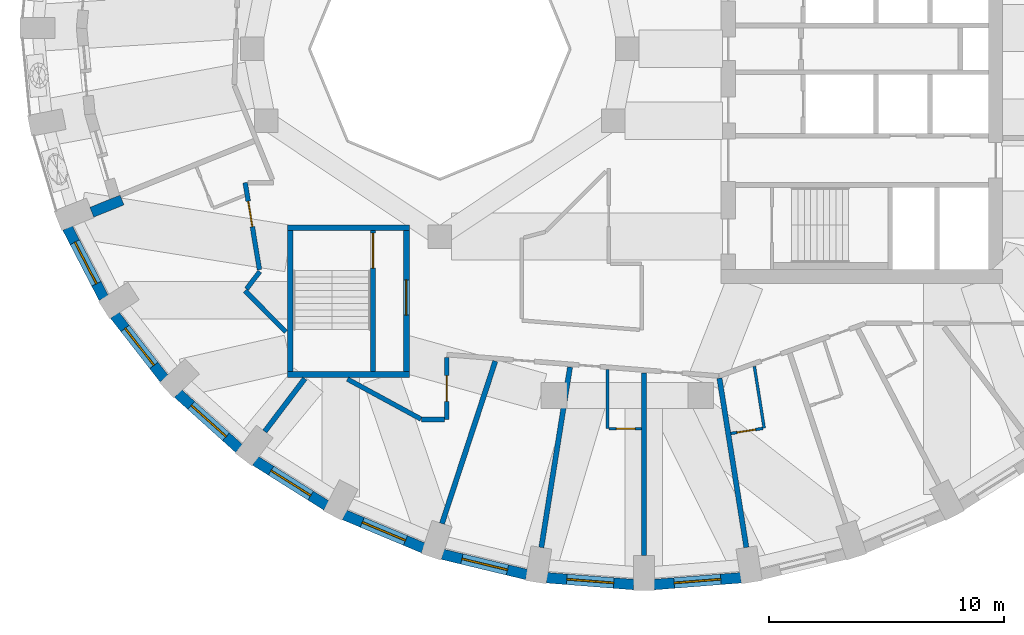
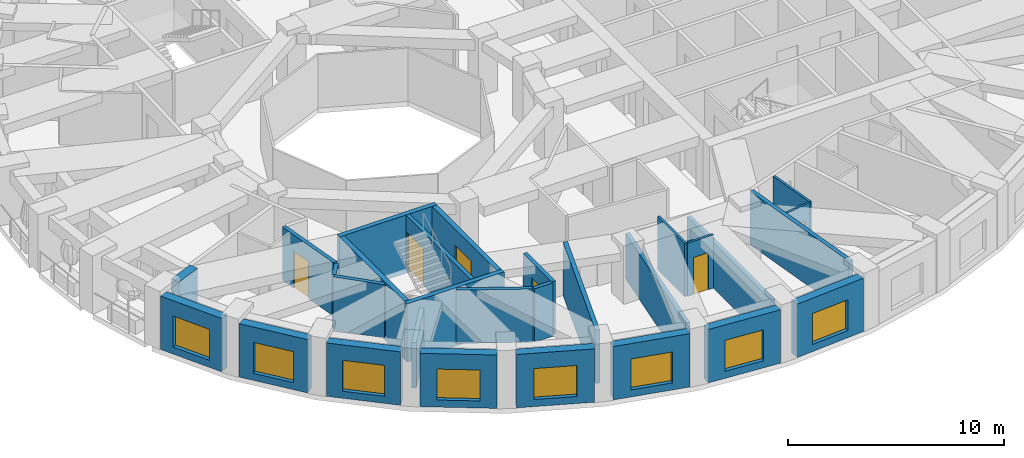
# One storey, part 3 of 12: 29 walls, 8 windows, 6 doors, 14 openings.
"""IFC4 building model written with IfcOpenShell, lengths in metres."""

from ifc_helpers import new_model, si_unit, direction, frame, frame_2d, origin, place, context, subcontext, project, spatial, rectangle, extrude, material, layer, layer_set, type_object, element, fill, save


model = new_model("IFC4")

# Units and contexts
model_context = context("Model", 3, precision=1e-05, world=origin(), true_north=direction((0.0, 1.0)))
body_context = subcontext(model_context, "Body", "Model", "MODEL_VIEW")
ifc_project = project(units=[si_unit("LENGTHUNIT", "METRE"), si_unit("AREAUNIT", "SQUARE_METRE"), si_unit("VOLUMEUNIT", "CUBIC_METRE"), si_unit("PLANEANGLEUNIT", "RADIAN"), si_unit("MASSUNIT", "GRAM", prefix="KILO")], contexts=[model_context])

# Site, building, storey
site_placement = place(None, origin())
site = spatial("IfcSite", under=ifc_project, at=site_placement, CompositionType="ELEMENT")
building_placement = place(site_placement, origin())
building = spatial("IfcBuilding", under=site, at=building_placement, Name="Taillehof Tower", CompositionType="ELEMENT")
storey_placement = place(building_placement, frame((0.0, 0.0, 192.5)))
storey = spatial("IfcBuildingStorey", under=building, at=storey_placement, Name="L54", CompositionType="ELEMENT", Elevation=192.5)

# Wall, opening, window
ifc_material_1 = material(Name="Brick masonry", Category="masonry")
ifc_layer_1 = layer(ifc_material_1, 0.449951171875)
ifc_layer_set_1 = layer_set([ifc_layer_1], Name="Brick infill wall 450")
wall_type_1 = type_object("IfcWallType", Name="Brick infill wall 450", PredefinedType="SOLIDWALL", material=ifc_layer_set_1)
wall_1_placement = place(storey_placement, frame((-23.878173828125, -7.631591796875, 0.0), z_axis=(0.0, 0.0, 1.0), x_axis=(0.460232593174, -0.887798378113, 0.0)))
wall_1 = element("IfcWall", 1, at=wall_1_placement, inside=storey, type_object=wall_type_1, Name="Brick wall L54 bay 21", PredefinedType="SOLIDWALL", context=body_context, shape_type="SweptSolid", body=[
    extrude(rectangle(XDim=3.37060546875, YDim=0.449951171875, at=frame_2d((1.685302734375, 0.0))), origin(), (0.0, 0.0, 1.0), 3.02001953125),
])
opening_1_placement = place(wall_1_placement, frame((0.685302734375, 0.0, 0.39990234375)))
opening_1 = element("IfcOpeningElement", 2, at=opening_1_placement, cuts=wall_1, Name="Opening W2", PredefinedType="OPENING", context=body_context, shape_type="SweptSolid", body=[
    extrude(rectangle(XDim=2.0, YDim=1.75, at=frame_2d((1.0, 0.875))), frame((0.0, 0.23486328125, 0.0), z_axis=(0.0, -1.0, 0.0), x_axis=(1.0, 0.0, 0.0)), (0.0, 0.0, 1.0), 0.469970703125),
])
ifc_material_2 = material(Name="Aluminium window frame with clear double glazing", Category="aluminium")
window_type = type_object("IfcWindowType", Name="Deep-set window 2000x1750", PartitioningType="SINGLE_PANEL", PredefinedType="WINDOW", material=ifc_material_2)
window_1_placement = place(opening_1_placement, origin())
window_1 = element("IfcWindow", 3, at=window_1_placement, inside=storey, type_object=window_type, Name="W2", OverallHeight=1.75, OverallWidth=2.0, PartitioningType="SINGLE_PANEL", PredefinedType="WINDOW", context=body_context, shape_type="SweptSolid", body=[
    extrude(rectangle(XDim=2.0, YDim=1.75, at=frame_2d((1.0, 0.875))), frame((0.0, 0.034912109375, 0.0), z_axis=(0.0, -1.0, 0.0), x_axis=(1.0, 0.0, 0.0)), (0.0, 0.0, 1.0), 0.06005859375),
])
fill(opening_1, window_1)

wall_2_placement = place(storey_placement, frame((-21.86279296875, -11.348388671875, 0.0), z_axis=(0.0, 0.0, 1.0), x_axis=(0.614255239631, -0.789107407509, 0.0)))
wall_2 = element("IfcWall", 4, at=wall_2_placement, inside=storey, type_object=wall_type_1, Name="Brick wall L54 bay 22", PredefinedType="SOLIDWALL", context=body_context, shape_type="SweptSolid", body=[
    extrude(rectangle(XDim=3.4375, YDim=0.449951171875, at=frame_2d((1.71875, 0.0))), origin(), (0.0, 0.0, 1.0), 3.02001953125),
])
opening_2_placement = place(wall_2_placement, frame((0.71875, 0.0, 0.39990234375)))
opening_2 = element("IfcOpeningElement", 5, at=opening_2_placement, cuts=wall_2, Name="Opening W2", PredefinedType="OPENING", context=body_context, shape_type="SweptSolid", body=[
    extrude(rectangle(XDim=2.0, YDim=1.75, at=frame_2d((1.0, 0.875))), frame((0.0, 0.23486328125, 0.0), z_axis=(0.0, -1.0, 0.0), x_axis=(1.0, 0.0, 0.0)), (0.0, 0.0, 1.0), 0.469970703125),
])
window_2_placement = place(opening_2_placement, origin())
window_2 = element("IfcWindow", 6, at=window_2_placement, inside=storey, type_object=window_type, Name="W2", OverallHeight=1.75, OverallWidth=2.0, PartitioningType="SINGLE_PANEL", PredefinedType="WINDOW", context=body_context, shape_type="SweptSolid", body=[
    extrude(rectangle(XDim=2.0, YDim=1.75, at=frame_2d((1.0, 0.875))), frame((0.0, 0.034912109375, 0.0), z_axis=(0.0, -1.0, 0.0), x_axis=(1.0, 0.0, 0.0)), (0.0, 0.0, 1.0), 0.06005859375),
])
fill(opening_2, window_2)

wall_3_placement = place(storey_placement, frame((-19.1650390625, -14.6904296875, 0.0), z_axis=(0.0, 0.0, 1.0), x_axis=(0.743442727602, -0.668799604348, 0.0)))
wall_3 = element("IfcWall", 7, at=wall_3_placement, inside=storey, type_object=wall_type_1, Name="Brick wall L54 bay 23", PredefinedType="SOLIDWALL", context=body_context, shape_type="SweptSolid", body=[
    extrude(rectangle(XDim=3.5126953125, YDim=0.449951171875, at=frame_2d((1.75634765625, 0.0))), origin(), (0.0, 0.0, 1.0), 3.02001953125),
])
opening_3_placement = place(wall_3_placement, frame((0.75634765625, 0.0, 0.39990234375)))
opening_3 = element("IfcOpeningElement", 8, at=opening_3_placement, cuts=wall_3, Name="Opening W2", PredefinedType="OPENING", context=body_context, shape_type="SweptSolid", body=[
    extrude(rectangle(XDim=2.0, YDim=1.75, at=frame_2d((1.0, 0.875))), frame((0.0, 0.23486328125, 0.0), z_axis=(0.0, -1.0, 0.0), x_axis=(1.0, 0.0, 0.0)), (0.0, 0.0, 1.0), 0.469970703125),
])
window_3_placement = place(opening_3_placement, origin())
window_3 = element("IfcWindow", 9, at=window_3_placement, inside=storey, type_object=window_type, Name="W2", OverallHeight=1.75, OverallWidth=2.0, PartitioningType="SINGLE_PANEL", PredefinedType="WINDOW", context=body_context, shape_type="SweptSolid", body=[
    extrude(rectangle(XDim=2.0, YDim=1.75, at=frame_2d((1.0, 0.875))), frame((0.0, 0.034912109375, 0.0), z_axis=(0.0, -1.0, 0.0), x_axis=(1.0, 0.0, 0.0)), (0.0, 0.0, 1.0), 0.06005859375),
])
fill(opening_3, window_3)

wall_4_placement = place(storey_placement, frame((-15.8671875, -17.55859375, 0.0), z_axis=(0.0, 0.0, 1.0), x_axis=(0.84616917791, -0.532914366813, 0.0)))
wall_4 = element("IfcWall", 10, at=wall_4_placement, inside=storey, type_object=wall_type_1, Name="Brick wall L54 bay 24", PredefinedType="SOLIDWALL", context=body_context, shape_type="SweptSolid", body=[
    extrude(rectangle(XDim=3.586669921875, YDim=0.449951171875, at=frame_2d((1.79345703125, 0.0))), origin(), (0.0, 0.0, 1.0), 3.02001953125),
])
opening_4_placement = place(wall_4_placement, frame((0.79345703125, 0.0, 0.39990234375)))
opening_4 = element("IfcOpeningElement", 11, at=opening_4_placement, cuts=wall_4, Name="Opening W2", PredefinedType="OPENING", context=body_context, shape_type="SweptSolid", body=[
    extrude(rectangle(XDim=2.0, YDim=1.75, at=frame_2d((1.0, 0.875))), frame((0.0, 0.23486328125, 0.0), z_axis=(0.0, -1.0, 0.0), x_axis=(1.0, 0.0, 0.0)), (0.0, 0.0, 1.0), 0.469970703125),
])
window_4_placement = place(opening_4_placement, origin())
window_4 = element("IfcWindow", 12, at=window_4_placement, inside=storey, type_object=window_type, Name="W2", OverallHeight=1.75, OverallWidth=2.0, PartitioningType="SINGLE_PANEL", PredefinedType="WINDOW", context=body_context, shape_type="SweptSolid", body=[
    extrude(rectangle(XDim=2.0, YDim=1.75, at=frame_2d((1.0, 0.875))), frame((0.0, 0.034912109375, 0.0), z_axis=(0.0, -1.0, 0.0), x_axis=(1.0, 0.0, 0.0)), (0.0, 0.0, 1.0), 0.06005859375),
])
fill(opening_4, window_4)

wall_5_placement = place(storey_placement, frame((-12.0693359375, -19.866943359375, 0.0), z_axis=(0.0, 0.0, 1.0), x_axis=(0.922168222612, -0.386789050006, 0.0)))
wall_5 = element("IfcWall", 13, at=wall_5_placement, inside=storey, type_object=wall_type_1, Name="Brick wall L54 bay 25", PredefinedType="SOLIDWALL", context=body_context, shape_type="SweptSolid", body=[
    extrude(rectangle(XDim=3.65087890625, YDim=0.449951171875, at=frame_2d((1.825439453125, 0.0))), origin(), (0.0, 0.0, 1.0), 3.02001953125),
])
opening_5_placement = place(wall_5_placement, frame((0.825439453125, 0.0, 0.39990234375)))
opening_5 = element("IfcOpeningElement", 14, at=opening_5_placement, cuts=wall_5, Name="Opening W2", PredefinedType="OPENING", context=body_context, shape_type="SweptSolid", body=[
    extrude(rectangle(XDim=2.0, YDim=1.75, at=frame_2d((1.0, 0.875))), frame((0.0, 0.23486328125, 0.0), z_axis=(0.0, -1.0, 0.0), x_axis=(1.0, 0.0, 0.0)), (0.0, 0.0, 1.0), 0.469970703125),
])
window_5_placement = place(opening_5_placement, origin())
window_5 = element("IfcWindow", 15, at=window_5_placement, inside=storey, type_object=window_type, Name="W2", OverallHeight=1.75, OverallWidth=2.0, PartitioningType="SINGLE_PANEL", PredefinedType="WINDOW", context=body_context, shape_type="SweptSolid", body=[
    extrude(rectangle(XDim=2.0, YDim=1.75, at=frame_2d((1.0, 0.875))), frame((0.0, 0.034912109375, 0.0), z_axis=(0.0, -1.0, 0.0), x_axis=(1.0, 0.0, 0.0)), (0.0, 0.0, 1.0), 0.06005859375),
])
fill(opening_5, window_5)

wall_6_placement = place(storey_placement, frame((-7.88525390625, -21.547119140625, 0.0), z_axis=(0.0, 0.0, 1.0), x_axis=(0.9721584944, -0.234324266275, 0.0)))
wall_6 = element("IfcWall", 16, at=wall_6_placement, inside=storey, type_object=wall_type_1, Name="Brick wall L54 bay 26", PredefinedType="SOLIDWALL", context=body_context, shape_type="SweptSolid", body=[
    extrude(rectangle(XDim=3.69775390625, YDim=0.449951171875, at=frame_2d((1.848876953125, 0.0))), origin(), (0.0, 0.0, 1.0), 3.02001953125),
])
opening_6_placement = place(wall_6_placement, frame((0.848876953125, 0.0, 0.39990234375)))
opening_6 = element("IfcOpeningElement", 17, at=opening_6_placement, cuts=wall_6, Name="Opening W2", PredefinedType="OPENING", context=body_context, shape_type="SweptSolid", body=[
    extrude(rectangle(XDim=2.0, YDim=1.75, at=frame_2d((1.0, 0.875))), frame((0.0, 0.23486328125, 0.0), z_axis=(0.0, -1.0, 0.0), x_axis=(1.0, 0.0, 0.0)), (0.0, 0.0, 1.0), 0.469970703125),
])
window_6_placement = place(opening_6_placement, origin())
window_6 = element("IfcWindow", 18, at=window_6_placement, inside=storey, type_object=window_type, Name="W2", OverallHeight=1.75, OverallWidth=2.0, PartitioningType="SINGLE_PANEL", PredefinedType="WINDOW", context=body_context, shape_type="SweptSolid", body=[
    extrude(rectangle(XDim=2.0, YDim=1.75, at=frame_2d((1.0, 0.875))), frame((0.0, 0.034912109375, 0.0), z_axis=(0.0, -1.0, 0.0), x_axis=(1.0, 0.0, 0.0)), (0.0, 0.0, 1.0), 0.06005859375),
])
fill(opening_6, window_6)

wall_7_placement = place(storey_placement, frame((-3.441162109375, -22.54833984375, 0.0), z_axis=(0.0, 0.0, 1.0), x_axis=(0.996913971077, -0.078501810629, 0.0)))
wall_7 = element("IfcWall", 19, at=wall_7_placement, inside=storey, type_object=wall_type_1, Name="Brick wall L54 bay 27", PredefinedType="SOLIDWALL", context=body_context, shape_type="SweptSolid", body=[
    extrude(rectangle(XDim=3.72265625, YDim=0.449951171875, at=frame_2d((1.861328125, 0.0))), origin(), (0.0, 0.0, 1.0), 3.02001953125),
])
opening_7_placement = place(wall_7_placement, frame((0.861328125, 0.0, 0.39990234375)))
opening_7 = element("IfcOpeningElement", 20, at=opening_7_placement, cuts=wall_7, Name="Opening W2", PredefinedType="OPENING", context=body_context, shape_type="SweptSolid", body=[
    extrude(rectangle(XDim=2.0, YDim=1.75, at=frame_2d((1.0, 0.875))), frame((0.0, 0.23486328125, 0.0), z_axis=(0.0, -1.0, 0.0), x_axis=(1.0, 0.0, 0.0)), (0.0, 0.0, 1.0), 0.469970703125),
])
window_7_placement = place(opening_7_placement, origin())
window_7 = element("IfcWindow", 21, at=window_7_placement, inside=storey, type_object=window_type, Name="W2", OverallHeight=1.75, OverallWidth=2.0, PartitioningType="SINGLE_PANEL", PredefinedType="WINDOW", context=body_context, shape_type="SweptSolid", body=[
    extrude(rectangle(XDim=2.0, YDim=1.75, at=frame_2d((1.0, 0.875))), frame((0.0, 0.034912109375, 0.0), z_axis=(0.0, -1.0, 0.0), x_axis=(1.0, 0.0, 0.0)), (0.0, 0.0, 1.0), 0.06005859375),
])
fill(opening_7, window_7)

wall_8_placement = place(storey_placement, frame((1.130126953125, -22.840576171875, 0.0), z_axis=(0.0, 0.0, 1.0), x_axis=(0.996913566885, 0.078506943392, 0.0)))
wall_8 = element("IfcWall", 22, at=wall_8_placement, inside=storey, type_object=wall_type_1, Name="Brick wall L54 bay 28", PredefinedType="SOLIDWALL", context=body_context, shape_type="SweptSolid", body=[
    extrude(rectangle(XDim=3.722412109375, YDim=0.449951171875, at=frame_2d((1.861328125, 0.0))), origin(), (0.0, 0.0, 1.0), 3.02001953125),
])
opening_8_placement = place(wall_8_placement, frame((0.861328125, 0.0, 0.39990234375)))
opening_8 = element("IfcOpeningElement", 23, at=opening_8_placement, cuts=wall_8, Name="Opening W2", PredefinedType="OPENING", context=body_context, shape_type="SweptSolid", body=[
    extrude(rectangle(XDim=2.0, YDim=1.75, at=frame_2d((1.0, 0.875))), frame((0.0, 0.23486328125, 0.0), z_axis=(0.0, -1.0, 0.0), x_axis=(1.0, 0.0, 0.0)), (0.0, 0.0, 1.0), 0.469970703125),
])
window_8_placement = place(opening_8_placement, origin())
window_8 = element("IfcWindow", 24, at=window_8_placement, inside=storey, type_object=window_type, Name="W2", OverallHeight=1.75, OverallWidth=2.0, PartitioningType="SINGLE_PANEL", PredefinedType="WINDOW", context=body_context, shape_type="SweptSolid", body=[
    extrude(rectangle(XDim=2.0, YDim=1.75, at=frame_2d((1.0, 0.875))), frame((0.0, 0.034912109375, 0.0), z_axis=(0.0, -1.0, 0.0), x_axis=(1.0, 0.0, 0.0)), (0.0, 0.0, 1.0), 0.06005859375),
])
fill(opening_8, window_8)

# Wall
wall_9_placement = place(storey_placement, frame((-22.839599609375, -6.963623046875, 0.0), z_axis=(0.0, 0.0, 1.0), x_axis=(0.92737073954, 0.374143704271, 0.0)))
element("IfcWall", 25, at=wall_9_placement, inside=storey, type_object=wall_type_1, Name="Brick reveal L54 pocket 5", PredefinedType="SOLIDWALL", context=body_context, shape_type="SweptSolid", body=[
    extrude(rectangle(XDim=1.390625, YDim=0.449951171875, at=frame_2d((0.6953125, 0.0))), origin(), (0.0, 0.0, 1.0), 3.02001953125),
])

# Wall, opening, door
ifc_material_3 = material(Name="Gypsum board on steel studs, two layers each side", Category="steel")
ifc_layer_2 = layer(ifc_material_3, 0.199951171875)
ifc_layer_set_2 = layer_set([ifc_layer_2], Name="Compartment wall corridor 200")
wall_type_2 = type_object("IfcWallType", Name="Compartment wall corridor 200", PredefinedType="PARTITIONING", material=ifc_layer_set_2)
wall_10_placement = place(storey_placement, frame((-7.699951171875, -13.15380859375, 0.0), z_axis=(0.0, 0.0, 1.0), x_axis=(0.0, -1.0, 0.0)))
wall_10 = element("IfcWall", 26, at=wall_10_placement, inside=storey, type_object=wall_type_2, Name="Compartment wall", PredefinedType="PARTITIONING", context=body_context, shape_type="SweptSolid", body=[
    extrude(rectangle(XDim=2.646240234375, YDim=0.199951171875, at=frame_2d((1.3232421875, 0.0))), origin(), (0.0, 0.0, 1.0), 3.02001953125),
])
opening_9_placement = place(wall_10_placement, frame((0.773193359375, 0.0, 0.0)))
opening_9 = element("IfcOpeningElement", 27, at=opening_9_placement, cuts=wall_10, Name="Opening D5457", PredefinedType="OPENING", context=body_context, shape_type="SweptSolid", body=[
    extrude(rectangle(XDim=1.10009765625, YDim=2.10009765625, at=frame_2d((0.550048828125, 1.050048828125))), frame((0.0, 0.10986328125, 0.0), z_axis=(0.0, -1.0, 0.0), x_axis=(1.0, 0.0, 0.0)), (0.0, 0.0, 1.0), 0.219970703125),
])
ifc_material_4 = material(Name="Timber door leaf in steel frame", Category="steel")
door_type_1 = type_object("IfcDoorType", Name="Suite entrance door EI 30 1100 x 2100", OperationType="SINGLE_SWING_LEFT", PredefinedType="DOOR", material=ifc_material_4)
door_1_placement = place(opening_9_placement, origin())
door_1 = element("IfcDoor", 28, at=door_1_placement, inside=storey, type_object=door_type_1, Name="D5457", OperationType="SINGLE_SWING_LEFT", OverallHeight=2.10009765625, OverallWidth=1.10009765625, PredefinedType="DOOR", context=body_context, shape_type="SweptSolid", body=[
    extrude(rectangle(XDim=1.10009765625, YDim=2.10009765625, at=frame_2d((0.550048828125, 1.050048828125))), frame((0.0, 0.02490234375, 0.0), z_axis=(0.0, -1.0, 0.0), x_axis=(1.0, 0.0, 0.0)), (0.0, 0.0, 1.0), 0.050048828125),
])
fill(opening_9, door_1)

# Walls
wall_11_placement = place(storey_placement, frame((-7.800048828125, -15.800048828125, 0.0), z_axis=(0.0, 0.0, 1.0), x_axis=(-1.0, 0.0, 0.0)))
element("IfcWall", 29, at=wall_11_placement, inside=storey, type_object=wall_type_2, Name="Compartment wall", PredefinedType="PARTITIONING", context=body_context, shape_type="SweptSolid", body=[
    extrude(rectangle(XDim=0.970458984375, YDim=0.199951171875, at=frame_2d((0.4853515625, 0.0))), origin(), (0.0, 0.0, 1.0), 3.02001953125),
])
wall_12_placement = place(storey_placement, frame((-8.8056640625, -15.781005859375, 0.0), z_axis=(0.0, 0.0, 1.0), x_axis=(-0.878760680736, 0.477262680284, 0.0)))
element("IfcWall", 30, at=wall_12_placement, inside=storey, type_object=wall_type_2, Name="Compartment wall", PredefinedType="PARTITIONING", context=body_context, shape_type="SweptSolid", body=[
    extrude(rectangle(XDim=3.56396484375, YDim=0.199951171875, at=frame_2d((1.781982421875, 0.0))), origin(), (0.0, 0.0, 1.0), 3.02001953125),
])
wall_13_placement = place(storey_placement, frame((-14.561767578125, -12.064453125, 0.0), z_axis=(0.0, 0.0, 1.0), x_axis=(-0.704826289083, 0.709379942074, 0.0)))
element("IfcWall", 31, at=wall_13_placement, inside=storey, type_object=wall_type_2, Name="Compartment wall", PredefinedType="PARTITIONING", context=body_context, shape_type="SweptSolid", body=[
    extrude(rectangle(XDim=2.46630859375, YDim=0.199951171875, at=frame_2d((1.233154296875, 0.0))), origin(), (0.0, 0.0, 1.0), 3.02001953125),
])
wall_14_placement = place(storey_placement, frame((-16.240234375, -10.235595703125, 0.0), z_axis=(0.0, 0.0, 1.0), x_axis=(0.60389301212, 0.797065386222, 0.0)))
element("IfcWall", 32, at=wall_14_placement, inside=storey, type_object=wall_type_2, Name="Compartment wall", PredefinedType="PARTITIONING", context=body_context, shape_type="SweptSolid", body=[
    extrude(rectangle(XDim=0.931396484375, YDim=0.199951171875, at=frame_2d((0.4658203125, 0.0))), origin(), (0.0, 0.0, 1.0), 3.02001953125),
])

# Wall, opening, door
wall_15_placement = place(storey_placement, frame((-15.6904296875, -9.4140625, 0.0), z_axis=(0.0, 0.0, 1.0), x_axis=(-0.161968669214, 0.986795900981, 0.0)))
wall_15 = element("IfcWall", 33, at=wall_15_placement, inside=storey, type_object=wall_type_2, Name="Compartment wall", PredefinedType="PARTITIONING", context=body_context, shape_type="SweptSolid", body=[
    extrude(rectangle(XDim=3.763916015625, YDim=0.199951171875, at=frame_2d((1.8818359375, 0.0))), origin(), (0.0, 0.0, 1.0), 3.02001953125),
])
opening_10_placement = place(wall_15_placement, frame((1.857666015625, 0.0, 0.0)))
opening_10 = element("IfcOpeningElement", 34, at=opening_10_placement, cuts=wall_15, Name="Opening D5455", PredefinedType="OPENING", context=body_context, shape_type="SweptSolid", body=[
    extrude(rectangle(XDim=1.10009765625, YDim=2.10009765625, at=frame_2d((0.550048828125, 1.050048828125))), frame((0.0, 0.10986328125, 0.0), z_axis=(0.0, -1.0, 0.0), x_axis=(1.0, 0.0, 0.0)), (0.0, 0.0, 1.0), 0.219970703125),
])
door_2_placement = place(opening_10_placement, origin())
door_2 = element("IfcDoor", 35, at=door_2_placement, inside=storey, type_object=door_type_1, Name="D5455", OperationType="SINGLE_SWING_RIGHT", OverallHeight=2.10009765625, OverallWidth=1.10009765625, PredefinedType="DOOR", context=body_context, shape_type="SweptSolid", body=[
    extrude(rectangle(XDim=1.10009765625, YDim=2.10009765625, at=frame_2d((0.550048828125, 1.050048828125))), frame((0.0, 0.02490234375, 0.0), z_axis=(0.0, -1.0, 0.0), x_axis=(1.0, 0.0, 0.0)), (0.0, 0.0, 1.0), 0.050048828125),
])
fill(opening_10, door_2)

# Walls
ifc_material_5 = material(Name="Gypsum board on double steel studs with mineral wool", Category="steel")
ifc_layer_3 = layer(ifc_material_5, 0.219970703125)
ifc_layer_set_3 = layer_set([ifc_layer_3], Name="Compartment wall guest room 220")
wall_type_3 = type_object("IfcWallType", Name="Compartment wall guest room 220", PredefinedType="PARTITIONING", material=ifc_layer_set_3)
wall_16_placement = place(storey_placement, frame((-15.46337890625, -16.3125, 0.0), z_axis=(0.0, 0.0, 1.0), x_axis=(0.603613294085, 0.797277236101, 0.0)))
element("IfcWall", 36, at=wall_16_placement, inside=storey, type_object=wall_type_3, Name="Compartment wall", PredefinedType="PARTITIONING", context=body_context, shape_type="SweptSolid", body=[
    extrude(rectangle(XDim=2.82763671875, YDim=0.219970703125, at=frame_2d((1.413818359375, 0.0))), origin(), (0.0, 0.0, 1.0), 2.570068359375),
])
wall_17_placement = place(storey_placement, frame((-7.9072265625, -20.2353515625, 0.0), z_axis=(0.0, 0.0, 1.0), x_axis=(0.311980831408, 0.950088396326, 0.0)))
element("IfcWall", 37, at=wall_17_placement, inside=storey, type_object=wall_type_3, Name="Compartment wall", PredefinedType="PARTITIONING", context=body_context, shape_type="SweptSolid", body=[
    extrude(rectangle(XDim=7.283203125, YDim=0.219970703125, at=frame_2d((3.6416015625, 0.0))), origin(), (0.0, 0.0, 1.0), 3.02001953125),
])
wall_18_placement = place(storey_placement, frame((-3.6708984375, -21.256103515625, 0.0), z_axis=(0.0, 0.0, 1.0), x_axis=(0.157083078724, 0.987585391943, 0.0)))
element("IfcWall", 38, at=wall_18_placement, inside=storey, type_object=wall_type_3, Name="Compartment wall", PredefinedType="PARTITIONING", context=body_context, shape_type="SweptSolid", body=[
    extrude(rectangle(XDim=7.78662109375, YDim=0.219970703125, at=frame_2d((3.893310546875, 0.0))), origin(), (0.0, 0.0, 1.0), 2.570068359375),
])
wall_19_placement = place(storey_placement, frame((0.699951171875, -21.60009765625, 0.0), z_axis=(0.0, 0.0, 1.0), x_axis=(0.0, 1.0, 0.0)))
element("IfcWall", 39, at=wall_19_placement, inside=storey, type_object=wall_type_3, Name="Compartment wall", PredefinedType="PARTITIONING", context=body_context, shape_type="SweptSolid", body=[
    extrude(rectangle(XDim=7.786865234375, YDim=0.219970703125, at=frame_2d((3.8935546875, 0.0))), origin(), (0.0, 0.0, 1.0), 2.570068359375),
])
wall_20_placement = place(storey_placement, frame((5.071044921875, -21.256103515625, 0.0), z_axis=(0.0, 0.0, 1.0), x_axis=(-0.157118751406, 0.987579717267, 0.0)))
element("IfcWall", 40, at=wall_20_placement, inside=storey, type_object=wall_type_3, Name="Compartment wall", PredefinedType="PARTITIONING", context=body_context, shape_type="SweptSolid", body=[
    extrude(rectangle(XDim=7.307861328125, YDim=0.219970703125, at=frame_2d((3.65380859375, 0.0))), origin(), (0.0, 0.0, 1.0), 3.02001953125),
])
ifc_material_6 = material(Name="Gypsum board on steel studs, moisture resistant", Category="steel")
ifc_layer_4 = layer(ifc_material_6, 0.1201171875)
ifc_layer_set_4 = layer_set([ifc_layer_4], Name="En-suite wall 120")
wall_type_4 = type_object("IfcWallType", Name="En-suite wall 120", PredefinedType="PARTITIONING", material=ifc_layer_set_4)
wall_21_placement = place(storey_placement, frame((-0.85009765625, -13.671630859375, 0.0), z_axis=(0.0, 0.0, 1.0), x_axis=(0.0, -1.0, 0.0)))
element("IfcWall", 41, at=wall_21_placement, inside=storey, type_object=wall_type_4, Name="En-suite wall", PredefinedType="PARTITIONING", context=body_context, shape_type="SweptSolid", body=[
    extrude(rectangle(XDim=2.521484375, YDim=0.1201171875, at=frame_2d((1.2607421875, 0.0))), origin(), (0.0, 0.0, 1.0), 3.02001953125),
])
wall_22_placement = place(storey_placement, frame((5.412353515625, -13.536376953125, 0.0), z_axis=(0.0, 0.0, 1.0), x_axis=(0.157076497257, -0.987586438753, 0.0)))
element("IfcWall", 42, at=wall_22_placement, inside=storey, type_object=wall_type_4, Name="En-suite wall", PredefinedType="PARTITIONING", context=body_context, shape_type="SweptSolid", body=[
    extrude(rectangle(XDim=2.667236328125, YDim=0.1201171875, at=frame_2d((1.33349609375, 0.0))), origin(), (0.0, 0.0, 1.0), 3.02001953125),
])

# Wall, opening, door
wall_23_placement = place(storey_placement, frame((-0.7900390625, -16.193115234375, 0.0), z_axis=(0.0, 0.0, 1.0), x_axis=(1.0, 0.0, 0.0)))
wall_23 = element("IfcWall", 43, at=wall_23_placement, inside=storey, type_object=wall_type_4, Name="En-suite wall", PredefinedType="PARTITIONING", context=body_context, shape_type="SweptSolid", body=[
    extrude(rectangle(XDim=1.3798828125, YDim=0.1201171875, at=frame_2d((0.68994140625, 0.0))), origin(), (0.0, 0.0, 1.0), 3.02001953125),
])
opening_11_placement = place(wall_23_placement, frame((0.31494140625, 0.0, 0.0)))
opening_11 = element("IfcOpeningElement", 44, at=opening_11_placement, cuts=wall_23, Name="Opening D5460", PredefinedType="OPENING", context=body_context, shape_type="SweptSolid", body=[
    extrude(rectangle(XDim=0.800048828125, YDim=2.10009765625, at=frame_2d((0.39990234375, 1.050048828125))), frame((0.0, 0.070068359375, 0.0), z_axis=(0.0, -1.0, 0.0), x_axis=(1.0, 0.0, 0.0)), (0.0, 0.0, 1.0), 0.14013671875),
])
ifc_material_7 = material(Name="Timber door leaf in steel frame", Category="steel")
door_type_2 = type_object("IfcDoorType", Name="En-suite door 800 x 2100", OperationType="SINGLE_SWING_LEFT", PredefinedType="DOOR", material=ifc_material_7)
door_3_placement = place(opening_11_placement, origin())
door_3 = element("IfcDoor", 45, at=door_3_placement, inside=storey, type_object=door_type_2, Name="D5460", OperationType="SINGLE_SWING_LEFT", OverallHeight=2.10009765625, OverallWidth=0.800048828125, PredefinedType="DOOR", context=body_context, shape_type="SweptSolid", body=[
    extrude(rectangle(XDim=0.800048828125, YDim=2.10009765625, at=frame_2d((0.39990234375, 1.050048828125))), frame((0.0, 0.02490234375, 0.0), z_axis=(0.0, -1.0, 0.0), x_axis=(1.0, 0.0, 0.0)), (0.0, 0.0, 1.0), 0.050048828125),
])
fill(opening_11, door_3)

wall_24_placement = place(storey_placement, frame((5.77197265625, -16.179931640625, 0.0), z_axis=(0.0, 0.0, 1.0), x_axis=(-0.98760899043, -0.156934642514, 0.0)))
wall_24 = element("IfcWall", 46, at=wall_24_placement, inside=storey, type_object=wall_type_4, Name="En-suite wall", PredefinedType="PARTITIONING", context=body_context, shape_type="SweptSolid", body=[
    extrude(rectangle(XDim=1.3798828125, YDim=0.1201171875, at=frame_2d((0.68994140625, 0.0))), origin(), (0.0, 0.0, 1.0), 3.02001953125),
])
opening_12_placement = place(wall_24_placement, frame((0.31494140625, 0.0, 0.0)))
opening_12 = element("IfcOpeningElement", 47, at=opening_12_placement, cuts=wall_24, Name="Opening D5463", PredefinedType="OPENING", context=body_context, shape_type="SweptSolid", body=[
    extrude(rectangle(XDim=0.800048828125, YDim=2.10009765625, at=frame_2d((0.39990234375, 1.050048828125))), frame((0.0, 0.070068359375, 0.0), z_axis=(0.0, -1.0, 0.0), x_axis=(1.0, 0.0, 0.0)), (0.0, 0.0, 1.0), 0.14013671875),
])
door_4_placement = place(opening_12_placement, origin())
door_4 = element("IfcDoor", 48, at=door_4_placement, inside=storey, type_object=door_type_2, Name="D5463", OperationType="SINGLE_SWING_RIGHT", OverallHeight=2.10009765625, OverallWidth=0.800048828125, PredefinedType="DOOR", context=body_context, shape_type="SweptSolid", body=[
    extrude(rectangle(XDim=0.800048828125, YDim=2.10009765625, at=frame_2d((0.39990234375, 1.050048828125))), frame((0.0, 0.02490234375, 0.0), z_axis=(0.0, -1.0, 0.0), x_axis=(1.0, 0.0, 0.0)), (0.0, 0.0, 1.0), 0.050048828125),
])
fill(opening_12, door_4)

ifc_material_8 = material(Name="Concrete C50/60", Category="concrete")
ifc_layer_5 = layer(ifc_material_8, 0.199951171875)
ifc_layer_set_5 = layer_set([ifc_layer_5], Name="Shaft wall C50/60 200")
wall_type_5 = type_object("IfcWallType", Name="Shaft wall C50/60 200", PredefinedType="SHEAR", material=ifc_layer_set_5)
wall_25_placement = place(storey_placement, frame((-10.85009765625, -13.75, 0.0), z_axis=(0.0, 0.0, 1.0), x_axis=(0.0, 1.0, 0.0)))
wall_25 = element("IfcWall", 49, at=wall_25_placement, inside=storey, type_object=wall_type_5, Name="Shaft wall SW", PredefinedType="SHEAR", context=body_context, shape_type="SweptSolid", body=[
    extrude(rectangle(XDim=6.0, YDim=0.199951171875, at=frame_2d((3.0, 0.0))), origin(), (0.0, 0.0, 1.0), 3.02001953125),
])
opening_13_placement = place(wall_25_placement, frame((4.39990234375, 0.0, 0.0)))
opening_13 = element("IfcOpeningElement", 50, at=opening_13_placement, cuts=wall_25, Name="Opening D5413", PredefinedType="OPENING", context=body_context, shape_type="SweptSolid", body=[
    extrude(rectangle(XDim=1.5, YDim=2.10009765625, at=frame_2d((0.75, 1.050048828125))), frame((0.0, 0.10986328125, 0.0), z_axis=(0.0, -1.0, 0.0), x_axis=(1.0, 0.0, 0.0)), (0.0, 0.0, 1.0), 0.219970703125),
])
ifc_material_9 = material(Name="Steel-faced fire door", Category="steel")
door_type_3 = type_object("IfcDoorType", Name="Stair door 1500x2100", OperationType="DOUBLE_DOOR_SINGLE_SWING", PredefinedType="DOOR", material=ifc_material_9)
door_5_placement = place(opening_13_placement, origin())
door_5 = element("IfcDoor", 51, at=door_5_placement, inside=storey, type_object=door_type_3, Name="Stair lobby door S4", OperationType="DOUBLE_DOOR_SINGLE_SWING", OverallHeight=2.10009765625, OverallWidth=1.5, PredefinedType="DOOR", context=body_context, shape_type="SweptSolid", body=[
    extrude(rectangle(XDim=1.5, YDim=2.10009765625, at=frame_2d((0.75, 1.050048828125))), frame((0.0, 0.02490234375, 0.0), z_axis=(0.0, -1.0, 0.0), x_axis=(1.0, 0.0, 0.0)), (0.0, 0.0, 1.0), 0.050048828125),
])
fill(opening_13, door_5)

# Wall
ifc_material_10 = material(Name="Concrete C50/60", Category="concrete")
ifc_layer_6 = layer(ifc_material_10, 0.25)
ifc_layer_set_6 = layer_set([ifc_layer_6], Name="Stair wall C50/60 250")
wall_type_6 = type_object("IfcWallType", Name="Stair wall C50/60 250", PredefinedType="SHEAR", material=ifc_layer_set_6)
wall_26_placement = place(storey_placement, frame((-14.375, -13.75, -0.280029296875), z_axis=(0.0, 0.0, 1.0), x_axis=(0.0, 1.0, 0.0)))
element("IfcWall", 52, at=wall_26_placement, inside=storey, type_object=wall_type_6, Name="Stair wall SC", PredefinedType="SHEAR", context=body_context, shape_type="SweptSolid", body=[
    extrude(rectangle(XDim=6.0, YDim=0.25, at=frame_2d((3.0, 0.0))), origin(), (0.0, 0.0, 1.0), 3.300048828125),
])

# Wall, opening, door
wall_27_placement = place(storey_placement, frame((-9.425048828125, -13.75, -0.280029296875), z_axis=(0.0, 0.0, 1.0), x_axis=(0.0, 1.0, 0.0)))
wall_27 = element("IfcWall", 53, at=wall_27_placement, inside=storey, type_object=wall_type_6, Name="Stair wall SC", PredefinedType="SHEAR", context=body_context, shape_type="SweptSolid", body=[
    extrude(rectangle(XDim=6.0, YDim=0.25, at=frame_2d((3.0, 0.0))), origin(), (0.0, 0.0, 1.0), 3.300048828125),
])
opening_14_placement = place(wall_27_placement, frame((2.39990234375, 0.0, 0.280029296875)))
opening_14 = element("IfcOpeningElement", 54, at=opening_14_placement, cuts=wall_27, Name="Opening D5416", PredefinedType="OPENING", context=body_context, shape_type="SweptSolid", body=[
    extrude(rectangle(XDim=1.5, YDim=2.10009765625, at=frame_2d((0.75, 1.050048828125))), frame((0.0, 0.135009765625, 0.0), z_axis=(0.0, -1.0, 0.0), x_axis=(1.0, 0.0, 0.0)), (0.0, 0.0, 1.0), 0.27001953125),
])
door_6_placement = place(opening_14_placement, origin())
door_6 = element("IfcDoor", 55, at=door_6_placement, inside=storey, type_object=door_type_3, Name="Stair door S4", OperationType="DOUBLE_DOOR_SINGLE_SWING", OverallHeight=2.10009765625, OverallWidth=1.5, PredefinedType="DOOR", context=body_context, shape_type="SweptSolid", body=[
    extrude(rectangle(XDim=1.5, YDim=2.10009765625, at=frame_2d((0.75, 1.050048828125))), frame((0.0, 0.02490234375, 0.0), z_axis=(0.0, -1.0, 0.0), x_axis=(1.0, 0.0, 0.0)), (0.0, 0.0, 1.0), 0.050048828125),
])
fill(opening_14, door_6)

# Walls
for number, where, z_axis, x_axis, name in (
    (56, (-14.5, -7.625, -0.280029296875), (0.0, 0.0, 1.0), (1.0, 0.0, 0.0), "Stair wall SC"),
    (57, (-14.5, -13.875, -0.280029296875), (0.0, 0.0, 1.0), (1.0, 0.0, 0.0), "Stair wall SC"),
):
    element("IfcWall", number, at=place(storey_placement, frame(where, z_axis=z_axis, x_axis=x_axis)), inside=storey, type_object=wall_type_6, Name=name, PredefinedType="SHEAR", context=body_context, shape_type="SweptSolid", body=[
        extrude(rectangle(XDim=5.199951171875, YDim=0.25, at=frame_2d((2.60009765625, 0.0))), origin(), (0.0, 0.0, 1.0), 3.300048828125),
    ])

save(model, "model.ifc")
